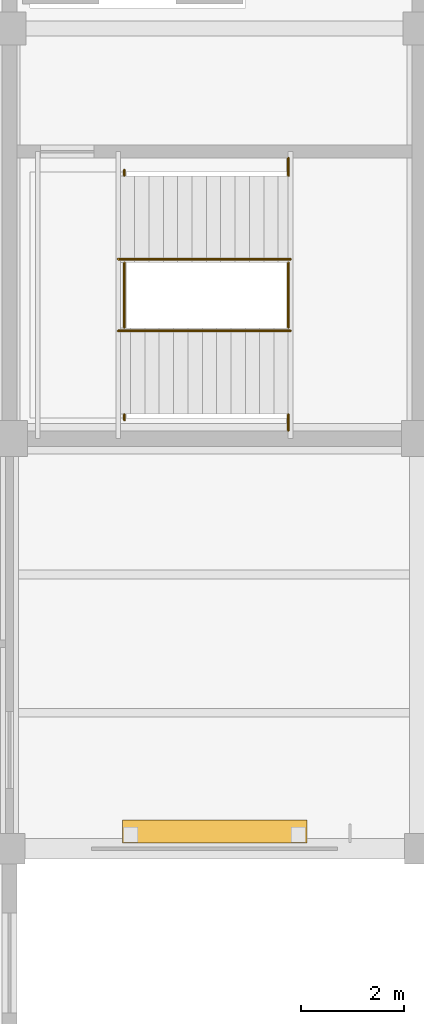
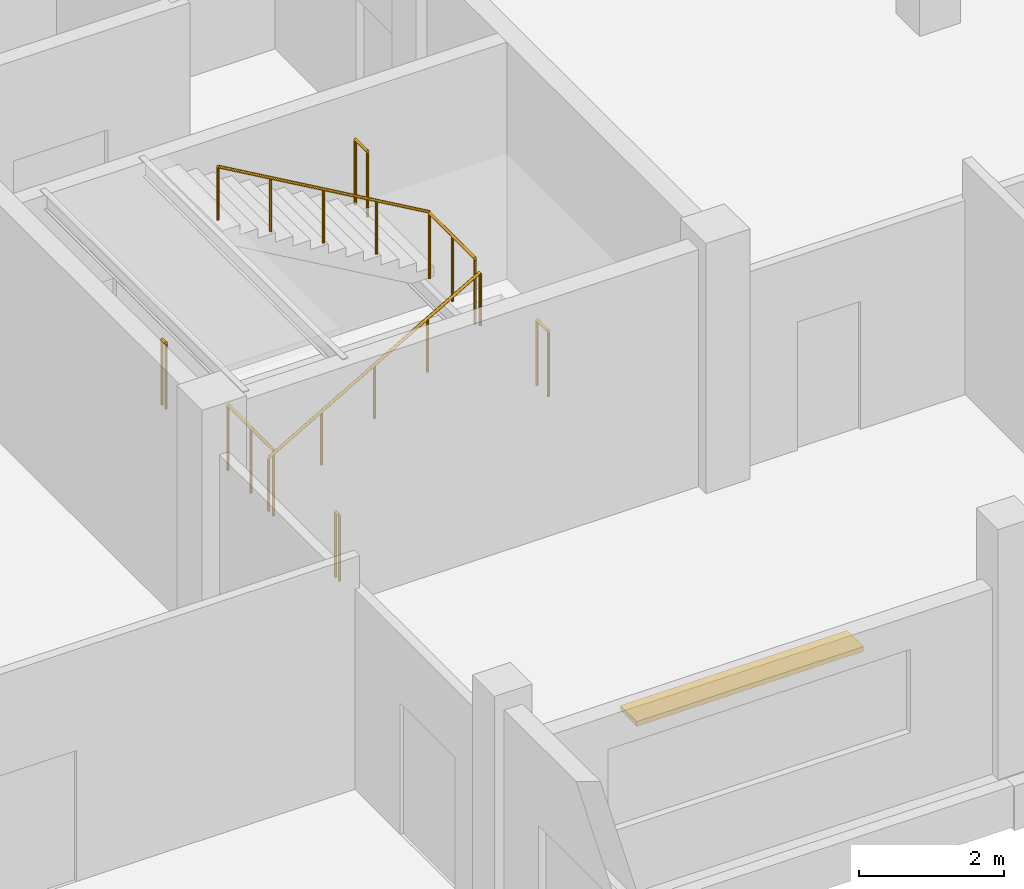
# One storey, part 82 of 84: 8 railings, 1 shading device, 1 element without a shape of its own.
"""IFC4 building model written with IfcOpenShell, lengths in metres."""

from ifc_helpers import new_model, si_unit, direction, frame, origin, origin_2d, place, context, subcontext, project, spatial, rectangle, circle, extrude, material, layer, layer_set, type_object, element, aggregate, save


model = new_model("IFC4")

# Units and contexts
model_context = context("Model", 3, precision=1e-05, world=origin(), true_north=direction((0.0, 1.0)))
body_context = subcontext(model_context, "Body", "Model", "MODEL_VIEW")
ifc_project = project(units=[si_unit("LENGTHUNIT", "METRE"), si_unit("AREAUNIT", "SQUARE_METRE"), si_unit("VOLUMEUNIT", "CUBIC_METRE"), si_unit("PLANEANGLEUNIT", "RADIAN"), si_unit("MASSUNIT", "GRAM", prefix="KILO")], contexts=[model_context])

# Site, building, storey
site_placement = place(None, origin())
site = spatial("IfcSite", under=ifc_project, at=site_placement, CompositionType="ELEMENT")
building_placement = place(site_placement, origin())
building = spatial("IfcBuilding", under=site, at=building_placement, Name="Tenunan Teduh Sports Hall", CompositionType="ELEMENT")
storey_placement = place(building_placement, frame((0.0, 0.0, 10.800048828125)))
storey = spatial("IfcBuildingStorey", under=building, at=storey_placement, Name="L02", CompositionType="ELEMENT", Elevation=10.800048828125)

# Railings
ifc_material_1 = material(Name="Galvanised and powder-coated steel", Category="steel")
ifc_layer_1 = layer(ifc_material_1, 0.070068359375)
ifc_layer_set_1 = layer_set([ifc_layer_1], Name="Galvanised and powder-coated steel")
railing_type_1 = type_object("IfcRailingType", Name="RLG-EXT-GRD", PredefinedType="GUARDRAIL", material=ifc_layer_set_1)
railing_1_placement = place(storey_placement, frame((56.239990234375, 96.169921875, 0.0)))
element("IfcRailing", 1, at=railing_1_placement, inside=storey, type_object=railing_type_1, Name="RLG-STW-WLND-W3-L01", PredefinedType="GUARDRAIL", context=body_context, shape_type="SweptSolid", body=[
    extrude(circle(Radius=0.02392578125, at=origin_2d()), frame((0.0, 0.0, 1.09619140625), z_axis=(0.0, 1.0, 0.0), x_axis=(-1.0, 0.0, 0.0)), (0.0, 0.0, 1.0), 1.260009765625),
    extrude(circle(Radius=0.02099609375, at=origin_2d()), origin(), (0.0, 0.0, 1.0), 1.072021484375),
    extrude(circle(Radius=0.02099609375, at=origin_2d()), frame((0.0, 0.6298828125, 0.0)), (0.0, 0.0, 1.0), 1.072021484375),
    extrude(circle(Radius=0.02099609375, at=origin_2d()), frame((0.0, 1.260009765625, 0.0)), (0.0, 0.0, 1.0), 1.072021484375),
])
railing_2_placement = place(storey_placement, frame((56.239990234375, 94.360107421875, 0.0)))
element("IfcRailing", 2, at=railing_2_placement, inside=storey, type_object=railing_type_1, Name="RLG-STW-WLNDS-W3-L01", PredefinedType="GUARDRAIL", context=body_context, shape_type="SweptSolid", body=[
    extrude(circle(Radius=0.02392578125, at=origin_2d()), frame((0.0, 0.0, 1.09619140625), z_axis=(0.0, 1.0, 0.0), x_axis=(-1.0, 0.0, 0.0)), (0.0, 0.0, 1.0), 0.10986328125),
    extrude(circle(Radius=0.02099609375, at=origin_2d()), origin(), (0.0, 0.0, 1.0), 1.072021484375),
    extrude(circle(Radius=0.02099609375, at=origin_2d()), frame((0.0, 0.10986328125, 0.0)), (0.0, 0.0, 1.0), 1.072021484375),
])
railing_3_placement = place(storey_placement, frame((56.239990234375, 99.1298828125, 0.0)))
element("IfcRailing", 3, at=railing_3_placement, inside=storey, type_object=railing_type_1, Name="RLG-STW-WLNDN-W3-L01", PredefinedType="GUARDRAIL", context=body_context, shape_type="SweptSolid", body=[
    extrude(circle(Radius=0.02392578125, at=origin_2d()), frame((0.0, 0.0, 1.09619140625), z_axis=(0.0, 1.0, 0.0), x_axis=(-1.0, 0.0, 0.0)), (0.0, 0.0, 1.0), 0.110107421875),
    extrude(circle(Radius=0.02099609375, at=origin_2d()), origin(), (0.0, 0.0, 1.0), 1.072021484375),
    extrude(circle(Radius=0.02099609375, at=origin_2d()), frame((0.0, 0.110107421875, 0.0)), (0.0, 0.0, 1.0), 1.072021484375),
])
railing_4_placement = place(storey_placement, frame((59.43994140625, 96.169921875, 2.099853515625)))
element("IfcRailing", 4, at=railing_4_placement, inside=storey, type_object=railing_type_1, Name="RLG-STW-MID-W3-L02", PredefinedType="GUARDRAIL", context=body_context, shape_type="SweptSolid", body=[
    extrude(circle(Radius=0.02392578125, at=origin_2d()), frame((0.0, 0.0, 1.09619140625), z_axis=(0.0, 1.0, 0.0), x_axis=(-1.0, 0.0, 0.0)), (0.0, 0.0, 1.0), 1.260009765625),
    extrude(circle(Radius=0.02099609375, at=origin_2d()), origin(), (0.0, 0.0, 1.0), 1.072021484375),
    extrude(circle(Radius=0.02099609375, at=origin_2d()), frame((0.0, 0.6298828125, 0.0)), (0.0, 0.0, 1.0), 1.072021484375),
    extrude(circle(Radius=0.02099609375, at=origin_2d()), frame((0.0, 1.260009765625, 0.0)), (0.0, 0.0, 1.0), 1.072021484375),
])
railing_5_placement = place(storey_placement, frame((59.43994140625, 94.159912109375, 2.099853515625)))
element("IfcRailing", 5, at=railing_5_placement, inside=storey, type_object=railing_type_1, Name="RLG-STW-MIDS-W3-L02", PredefinedType="GUARDRAIL", context=body_context, shape_type="SweptSolid", body=[
    extrude(circle(Radius=0.02392578125, at=origin_2d()), frame((0.0, 0.0, 1.09619140625), z_axis=(0.0, 1.0, 0.0), x_axis=(-1.0, 0.0, 0.0)), (0.0, 0.0, 1.0), 0.31005859375),
    extrude(circle(Radius=0.02099609375, at=origin_2d()), origin(), (0.0, 0.0, 1.0), 1.072021484375),
    extrude(circle(Radius=0.02099609375, at=origin_2d()), frame((0.0, 0.31005859375, 0.0)), (0.0, 0.0, 1.0), 1.072021484375),
])
railing_6_placement = place(storey_placement, frame((59.43994140625, 99.1298828125, 2.099853515625)))
element("IfcRailing", 6, at=railing_6_placement, inside=storey, type_object=railing_type_1, Name="RLG-STW-MIDN-W3-L02", PredefinedType="GUARDRAIL", context=body_context, shape_type="SweptSolid", body=[
    extrude(circle(Radius=0.02392578125, at=origin_2d()), frame((0.0, 0.0, 1.09619140625), z_axis=(0.0, 1.0, 0.0), x_axis=(-1.0, 0.0, 0.0)), (0.0, 0.0, 1.0), 0.340087890625),
    extrude(circle(Radius=0.02099609375, at=origin_2d()), origin(), (0.0, 0.0, 1.0), 1.072021484375),
    extrude(circle(Radius=0.02099609375, at=origin_2d()), frame((0.0, 0.340087890625, 0.0)), (0.0, 0.0, 1.0), 1.072021484375),
])

# Stair, railings
ifc_material_2 = material(Name="Precast concrete C40/50", Category="concrete")
stair_type = type_object("IfcStairType", Name="STR-CORE-42", PredefinedType="HALF_TURN_STAIR", material=ifc_material_2)
stair_placement = place(storey_placement, origin())
stair = element("IfcStair", 7, at=stair_placement, inside=storey, type_object=stair_type, Name="STR-W3-L02", PredefinedType="HALF_TURN_STAIR")
ifc_material_3 = material(Name="Brushed stainless steel", Category="steel")
ifc_layer_2 = layer(ifc_material_3, 0.050048828125)
ifc_layer_set_2 = layer_set([ifc_layer_2], Name="Brushed stainless steel")
railing_type_2 = type_object("IfcRailingType", Name="RLG-STAIR-HR", PredefinedType="HANDRAIL", material=ifc_layer_set_2)
railing_7_placement = place(storey_placement, frame((56.1201171875, 96.10009765625, 0.161376953125)))
railing_7 = element("IfcRailing", 8, at=railing_7_placement, type_object=railing_type_2, Name="STR-W3-L02-HR1", PredefinedType="HANDRAIL", context=body_context, shape_type="SweptSolid", body=[
    extrude(circle(Radius=0.02392578125, at=origin_2d()), frame((0.0, 0.0, 0.89599609375), z_axis=(0.866175107563, 0.0, 0.499740615757), x_axis=(0.0, 1.0, 0.0)), (0.0, 0.0, 1.0), 3.87890625),
    extrude(circle(Radius=0.02099609375, at=origin_2d()), origin(), (0.0, 0.0, 1.0), 0.871826171875),
    extrude(circle(Radius=0.02099609375, at=origin_2d()), frame((0.83984375, 0.0, 0.484619140625)), (0.0, 0.0, 1.0), 0.871826171875),
    extrude(circle(Radius=0.02099609375, at=origin_2d()), frame((1.679931640625, 0.0, 0.96923828125)), (0.0, 0.0, 1.0), 0.871826171875),
    extrude(circle(Radius=0.02099609375, at=origin_2d()), frame((2.52001953125, 0.0, 1.453857421875)), (0.0, 0.0, 1.0), 0.871826171875),
    extrude(circle(Radius=0.02099609375, at=origin_2d()), frame((3.35986328125, 0.0, 1.9384765625)), (0.0, 0.0, 1.0), 0.871826171875),
])
railing_8_placement = place(storey_placement, frame((59.47998046875, 97.5, 2.261474609375)))
railing_8 = element("IfcRailing", 9, at=railing_8_placement, type_object=railing_type_2, Name="STR-W3-L02-HR2", PredefinedType="HANDRAIL", context=body_context, shape_type="SweptSolid", body=[
    extrude(circle(Radius=0.02392578125, at=origin_2d()), frame((0.0, 0.0, 0.89599609375), z_axis=(-0.866175107563, 0.0, 0.499740615757), x_axis=(0.0, -1.0, 0.0)), (0.0, 0.0, 1.0), 3.87890625),
    extrude(circle(Radius=0.02099609375, at=origin_2d()), origin(), (0.0, 0.0, 1.0), 0.871826171875),
    extrude(circle(Radius=0.02099609375, at=origin_2d()), frame((-0.83984375, 0.0, 0.484619140625)), (0.0, 0.0, 1.0), 0.871826171875),
    extrude(circle(Radius=0.02099609375, at=origin_2d()), frame((-1.679931640625, 0.0, 0.96923828125)), (0.0, 0.0, 1.0), 0.871826171875),
    extrude(circle(Radius=0.02099609375, at=origin_2d()), frame((-2.52001953125, 0.0, 1.453857421875)), (0.0, 0.0, 1.0), 0.871826171875),
    extrude(circle(Radius=0.02099609375, at=origin_2d()), frame((-3.35986328125, 0.0, 1.9384765625)), (0.0, 0.0, 1.0), 0.871826171875),
])
aggregate(stair, [railing_7, railing_8])

# Shading device
ifc_material_4 = material(Name="Perforated anodised aluminium", Category="aluminium")
shading_device_type = type_object("IfcShadingDeviceType", Name="SHD-LOUVRE-1", PredefinedType="AWNING", material=ifc_material_4)
shading_device_placement = place(storey_placement, frame((58.0, 86.340087890625, 2.56982421875), z_axis=(0.0, 0.0, 1.0), x_axis=(1.0, 0.0, 0.0)))
element("IfcShadingDevice", 10, at=shading_device_placement, inside=storey, type_object=shading_device_type, Name="SHD-L02-042", PredefinedType="AWNING", context=body_context, shape_type="SweptSolid", body=[
    extrude(rectangle(XDim=3.60009765625, YDim=0.449951171875, at=origin_2d()), origin(), (0.0, 0.0, 1.0), 0.080078125),
])

save(model, "model.ifc")
